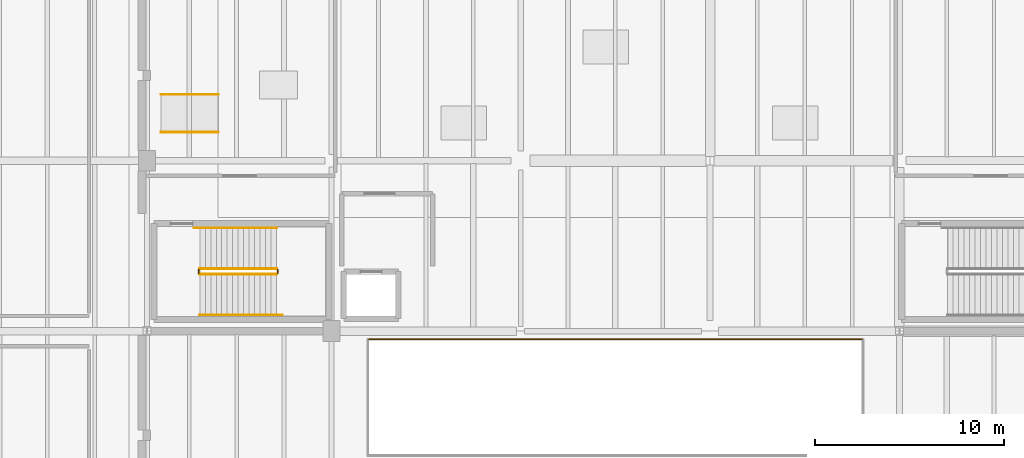
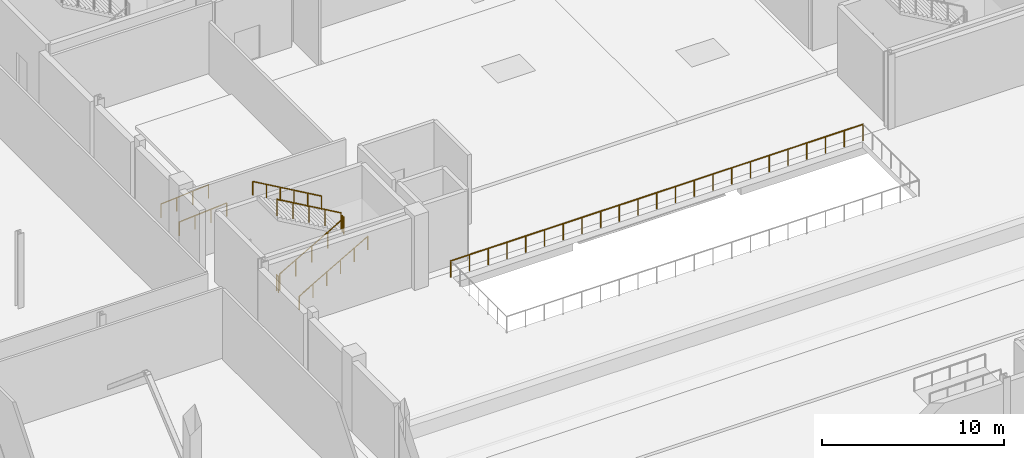
# One storey, part 83 of 88: 9 railings.
"""IFC4 building model written with IfcOpenShell, lengths in metres."""

from ifc_helpers import new_model, si_unit, direction, frame, origin, origin_2d, place, context, subcontext, project, spatial, circle, extrude, material, type_object, element, save


model = new_model("IFC4")

# Units and contexts
model_context = context("Model", 3, precision=1e-05, world=origin(), true_north=direction((0.0, 1.0)))
body_context = subcontext(model_context, "Body", "Model", "MODEL_VIEW")
ifc_project = project(units=[si_unit("LENGTHUNIT", "METRE"), si_unit("AREAUNIT", "SQUARE_METRE"), si_unit("VOLUMEUNIT", "CUBIC_METRE"), si_unit("PLANEANGLEUNIT", "RADIAN"), si_unit("MASSUNIT", "GRAM", prefix="KILO")], contexts=[model_context])

# Site, building, storey
site_placement = place(None, origin())
site = spatial("IfcSite", under=ifc_project, at=site_placement, CompositionType="ELEMENT")
building_placement = place(site_placement, origin())
building = spatial("IfcBuilding", under=site, at=building_placement, Name="Trimount Lyric Opera House", CompositionType="ELEMENT")
storey_placement = place(building_placement, origin())
storey = spatial("IfcBuildingStorey", under=building, at=storey_placement, Name="L00", CompositionType="ELEMENT", Elevation=0.0)

# Railings
ifc_material_1 = material(Name="Bronze and Laminated Acoustic Glass", Category="glass")
railing_type_1 = type_object("IfcRailingType", Name="RL-BAL112", PredefinedType="BALUSTRADE", material=ifc_material_1)
railing_1_placement = place(storey_placement, frame((102.080078125, 83.580078125, 0.0)))
element("IfcRailing", 1, at=railing_1_placement, inside=storey, type_object=railing_type_1, Name="L00 atrium and balcony guard GRD-PIT-L00-N", PredefinedType="BALUSTRADE", context=body_context, shape_type="SweptSolid", body=[
    extrude(circle(Radius=0.02734375, at=origin_2d()), frame((0.0, 0.0, 1.0927734375), z_axis=(-1.0, 0.0, 0.0), x_axis=(0.0, -1.0, 0.0)), (0.0, 0.0, 1.0), 26.16015625),
    extrude(circle(Radius=0.02099609375, at=origin_2d()), origin(), (0.0, 0.0, 1.0), 1.065185546875),
    extrude(circle(Radius=0.02099609375, at=origin_2d()), frame((-1.189208984375, 0.0, 0.0)), (0.0, 0.0, 1.0), 1.065185546875),
    extrude(circle(Radius=0.02099609375, at=origin_2d()), frame((-2.378173828125, 0.0, 0.0)), (0.0, 0.0, 1.0), 1.065185546875),
    extrude(circle(Radius=0.02099609375, at=origin_2d()), frame((-3.5673828125, 0.0, 0.0)), (0.0, 0.0, 1.0), 1.065185546875),
    extrude(circle(Radius=0.02099609375, at=origin_2d()), frame((-4.75634765625, 0.0, 0.0)), (0.0, 0.0, 1.0), 1.065185546875),
    extrude(circle(Radius=0.02099609375, at=origin_2d()), frame((-5.945556640625, 0.0, 0.0)), (0.0, 0.0, 1.0), 1.065185546875),
    extrude(circle(Radius=0.02099609375, at=origin_2d()), frame((-7.134521484375, 0.0, 0.0)), (0.0, 0.0, 1.0), 1.065185546875),
    extrude(circle(Radius=0.02099609375, at=origin_2d()), frame((-8.32373046875, 0.0, 0.0)), (0.0, 0.0, 1.0), 1.065185546875),
    extrude(circle(Radius=0.02099609375, at=origin_2d()), frame((-9.5126953125, 0.0, 0.0)), (0.0, 0.0, 1.0), 1.065185546875),
    extrude(circle(Radius=0.02099609375, at=origin_2d()), frame((-10.701904296875, 0.0, 0.0)), (0.0, 0.0, 1.0), 1.065185546875),
    extrude(circle(Radius=0.02099609375, at=origin_2d()), frame((-11.890869140625, 0.0, 0.0)), (0.0, 0.0, 1.0), 1.065185546875),
    extrude(circle(Radius=0.02099609375, at=origin_2d()), frame((-13.080078125, 0.0, 0.0)), (0.0, 0.0, 1.0), 1.065185546875),
    extrude(circle(Radius=0.02099609375, at=origin_2d()), frame((-14.269287109375, 0.0, 0.0)), (0.0, 0.0, 1.0), 1.065185546875),
    extrude(circle(Radius=0.02099609375, at=origin_2d()), frame((-15.458251953125, 0.0, 0.0)), (0.0, 0.0, 1.0), 1.065185546875),
    extrude(circle(Radius=0.02099609375, at=origin_2d()), frame((-16.6474609375, 0.0, 0.0)), (0.0, 0.0, 1.0), 1.065185546875),
    extrude(circle(Radius=0.02099609375, at=origin_2d()), frame((-17.83642578125, 0.0, 0.0)), (0.0, 0.0, 1.0), 1.065185546875),
    extrude(circle(Radius=0.02099609375, at=origin_2d()), frame((-19.025634765625, 0.0, 0.0)), (0.0, 0.0, 1.0), 1.065185546875),
    extrude(circle(Radius=0.02099609375, at=origin_2d()), frame((-20.214599609375, 0.0, 0.0)), (0.0, 0.0, 1.0), 1.065185546875),
    extrude(circle(Radius=0.02099609375, at=origin_2d()), frame((-21.40380859375, 0.0, 0.0)), (0.0, 0.0, 1.0), 1.065185546875),
    extrude(circle(Radius=0.02099609375, at=origin_2d()), frame((-22.5927734375, 0.0, 0.0)), (0.0, 0.0, 1.0), 1.065185546875),
    extrude(circle(Radius=0.02099609375, at=origin_2d()), frame((-23.781982421875, 0.0, 0.0)), (0.0, 0.0, 1.0), 1.065185546875),
    extrude(circle(Radius=0.02099609375, at=origin_2d()), frame((-24.970947265625, 0.0, 0.0)), (0.0, 0.0, 1.0), 1.065185546875),
    extrude(circle(Radius=0.02099609375, at=origin_2d()), frame((-26.16015625, 0.0, 0.0)), (0.0, 0.0, 1.0), 1.065185546875),
])
ifc_material_2 = material(Name="Brushed Stainless Steel 316", Category="steel")
railing_type_2 = type_object("IfcRailingType", Name="RL-GRD110", PredefinedType="GUARDRAIL", material=ifc_material_2)
railing_2_placement = place(storey_placement, frame((67.050048828125, 87.0, 0.166748046875)))
element("IfcRailing", 2, at=railing_2_placement, inside=storey, type_object=railing_type_2, Name="L00 ST-03 stair guard 1", PredefinedType="GUARDRAIL", context=body_context, shape_type="SweptSolid", body=[
    extrude(circle(Radius=0.02392578125, at=origin_2d()), frame((0.0, 0.0, 1.076171875), z_axis=(0.867024558463, 0.0, 0.498265406207), x_axis=(0.0, 1.0, 0.0)), (0.0, 0.0, 1.0), 4.682861328125),
    extrude(circle(Radius=0.02099609375, at=origin_2d()), origin(), (0.0, 0.0, 1.0), 1.052001953125),
    extrude(circle(Radius=0.02099609375, at=origin_2d()), frame((1.01513671875, 0.0, 0.583251953125)), (0.0, 0.0, 1.0), 1.052001953125),
    extrude(circle(Radius=0.02099609375, at=origin_2d()), frame((2.030029296875, 0.0, 1.16650390625)), (0.0, 0.0, 1.0), 1.052001953125),
    extrude(circle(Radius=0.02099609375, at=origin_2d()), frame((3.044921875, 0.0, 1.75)), (0.0, 0.0, 1.0), 1.052001953125),
    extrude(circle(Radius=0.02099609375, at=origin_2d()), frame((4.06005859375, 0.0, 2.333251953125)), (0.0, 0.0, 1.0), 1.052001953125),
])
railing_3_placement = place(storey_placement, frame((71.159912109375, 87.050048828125, 2.5)))
element("IfcRailing", 3, at=railing_3_placement, inside=storey, type_object=railing_type_2, Name="L00 ST-03 stair guard 2", PredefinedType="GUARDRAIL", context=body_context, shape_type="SweptSolid", body=[
    extrude(circle(Radius=0.02392578125, at=origin_2d()), frame((0.0, 0.0, 1.076171875), z_axis=(0.0, 1.0, 0.0), x_axis=(-1.0, 0.0, 0.0)), (0.0, 0.0, 1.0), 0.199951171875),
    extrude(circle(Radius=0.02099609375, at=origin_2d()), origin(), (0.0, 0.0, 1.0), 1.052001953125),
    extrude(circle(Radius=0.02099609375, at=origin_2d()), frame((0.0, 0.199951171875, 0.0)), (0.0, 0.0, 1.0), 1.052001953125),
])
railing_4_placement = place(storey_placement, frame((71.110107421875, 87.300048828125, 2.666748046875)))
element("IfcRailing", 4, at=railing_4_placement, inside=storey, type_object=railing_type_2, Name="L00 ST-03 stair guard 3", PredefinedType="GUARDRAIL", context=body_context, shape_type="SweptSolid", body=[
    extrude(circle(Radius=0.02392578125, at=origin_2d()), frame((0.0, 0.0, 1.076171875), z_axis=(-0.867024558463, 0.0, 0.498265406207), x_axis=(0.0, -1.0, 0.0)), (0.0, 0.0, 1.0), 4.682861328125),
    extrude(circle(Radius=0.02099609375, at=origin_2d()), origin(), (0.0, 0.0, 1.0), 1.052001953125),
    extrude(circle(Radius=0.02099609375, at=origin_2d()), frame((-1.01513671875, 0.0, 0.583251953125)), (0.0, 0.0, 1.0), 1.052001953125),
    extrude(circle(Radius=0.02099609375, at=origin_2d()), frame((-2.030029296875, 0.0, 1.16650390625)), (0.0, 0.0, 1.0), 1.052001953125),
    extrude(circle(Radius=0.02099609375, at=origin_2d()), frame((-3.044921875, 0.0, 1.75)), (0.0, 0.0, 1.0), 1.052001953125),
    extrude(circle(Radius=0.02099609375, at=origin_2d()), frame((-4.06005859375, 0.0, 2.333251953125)), (0.0, 0.0, 1.0), 1.052001953125),
])
railing_5_placement = place(storey_placement, frame((67.0, 87.050048828125, 0.0)))
element("IfcRailing", 5, at=railing_5_placement, inside=storey, type_object=railing_type_2, Name="L00 ST-03 stair guard 4", PredefinedType="GUARDRAIL", context=body_context, shape_type="SweptSolid", body=[
    extrude(circle(Radius=0.02392578125, at=origin_2d()), frame((0.0, 0.0, 1.076171875), z_axis=(0.0, 1.0, 0.0), x_axis=(-1.0, 0.0, 0.0)), (0.0, 0.0, 1.0), 0.199951171875),
    extrude(circle(Radius=0.02099609375, at=origin_2d()), origin(), (0.0, 0.0, 1.0), 1.052001953125),
    extrude(circle(Radius=0.02099609375, at=origin_2d()), frame((0.0, 0.199951171875, 0.0)), (0.0, 0.0, 1.0), 1.052001953125),
])
ifc_material_3 = material(Name="Brushed Stainless Steel 316", Category="steel")
railing_type_3 = type_object("IfcRailingType", Name="RL-HND092", PredefinedType="HANDRAIL", material=ifc_material_3)
railing_6_placement = place(storey_placement, frame((67.050048828125, 84.85009765625, 0.166748046875)))
element("IfcRailing", 6, at=railing_6_placement, inside=storey, type_object=railing_type_3, Name="L00 ST-03 stair handrail 1", PredefinedType="HANDRAIL", context=body_context, shape_type="SweptSolid", body=[
    extrude(circle(Radius=0.0224609375, at=origin_2d()), frame((0.0, 0.0, 0.8974609375), z_axis=(0.866754379005, 0.0, 0.498735246875), x_axis=(0.0, 1.0, 0.0)), (0.0, 0.0, 1.0), 5.0185546875),
    extrude(circle(Radius=0.02099609375, at=origin_2d()), origin(), (0.0, 0.0, 1.0), 0.875),
    extrude(circle(Radius=0.02099609375, at=origin_2d()), frame((0.869873046875, 0.0, 0.50048828125)), (0.0, 0.0, 1.0), 0.875),
    extrude(circle(Radius=0.02099609375, at=origin_2d()), frame((1.739990234375, 0.0, 1.001220703125)), (0.0, 0.0, 1.0), 0.875),
    extrude(circle(Radius=0.02099609375, at=origin_2d()), frame((2.60986328125, 0.0, 1.501708984375)), (0.0, 0.0, 1.0), 0.875),
    extrude(circle(Radius=0.02099609375, at=origin_2d()), frame((3.47998046875, 0.0, 2.00244140625)), (0.0, 0.0, 1.0), 0.875),
    extrude(circle(Radius=0.02099609375, at=origin_2d()), frame((4.349853515625, 0.0, 2.5029296875)), (0.0, 0.0, 1.0), 0.875),
])
railing_7_placement = place(storey_placement, frame((71.110107421875, 89.449951171875, 2.666748046875)))
element("IfcRailing", 7, at=railing_7_placement, inside=storey, type_object=railing_type_3, Name="L00 ST-03 stair handrail 2", PredefinedType="HANDRAIL", context=body_context, shape_type="SweptSolid", body=[
    extrude(circle(Radius=0.0224609375, at=origin_2d()), frame((0.0, 0.0, 0.8974609375), z_axis=(-0.866766478692, 0.0, 0.498714218181), x_axis=(0.0, -1.0, 0.0)), (0.0, 0.0, 1.0), 5.018798828125),
    extrude(circle(Radius=0.02099609375, at=origin_2d()), origin(), (0.0, 0.0, 1.0), 0.875),
    extrude(circle(Radius=0.02099609375, at=origin_2d()), frame((-0.8701171875, 0.0, 0.50048828125)), (0.0, 0.0, 1.0), 0.875),
    extrude(circle(Radius=0.02099609375, at=origin_2d()), frame((-1.739990234375, 0.0, 1.001220703125)), (0.0, 0.0, 1.0), 0.875),
    extrude(circle(Radius=0.02099609375, at=origin_2d()), frame((-2.610107421875, 0.0, 1.501708984375)), (0.0, 0.0, 1.0), 0.875),
    extrude(circle(Radius=0.02099609375, at=origin_2d()), frame((-3.47998046875, 0.0, 2.00244140625)), (0.0, 0.0, 1.0), 0.875),
    extrude(circle(Radius=0.02099609375, at=origin_2d()), frame((-4.35009765625, 0.0, 2.5029296875)), (0.0, 0.0, 1.0), 0.875),
])
for number, where, name in (
    (8, (65.0, 94.5, 0.0), "West Wing Stage Deck Accessible Ramp handrail S"),
    (9, (65.0, 96.5, 0.0), "West Wing Stage Deck Accessible Ramp handrail N"),
):
    element("IfcRailing", number, at=place(storey_placement, frame(where)), inside=storey, type_object=railing_type_3, Name=name, PredefinedType="HANDRAIL", context=body_context, shape_type="SweptSolid", body=[
        extrude(circle(Radius=0.0224609375, at=origin_2d()), frame((0.0, 0.0, 0.8974609375), z_axis=(0.997112988479, 0.0, 0.075932128953), x_axis=(0.0, 1.0, 0.0)), (0.0, 0.0, 1.0), 3.02880859375),
        extrude(circle(Radius=0.02099609375, at=origin_2d()), origin(), (0.0, 0.0, 1.0), 0.875),
        extrude(circle(Radius=0.02099609375, at=origin_2d()), frame((1.006591796875, 0.0, 0.07666015625)), (0.0, 0.0, 1.0), 0.875),
        extrude(circle(Radius=0.02099609375, at=origin_2d()), frame((2.013427734375, 0.0, 0.1533203125)), (0.0, 0.0, 1.0), 0.875),
        extrude(circle(Radius=0.02099609375, at=origin_2d()), frame((3.02001953125, 0.0, 0.22998046875)), (0.0, 0.0, 1.0), 0.875),
    ])

save(model, "model.ifc")
